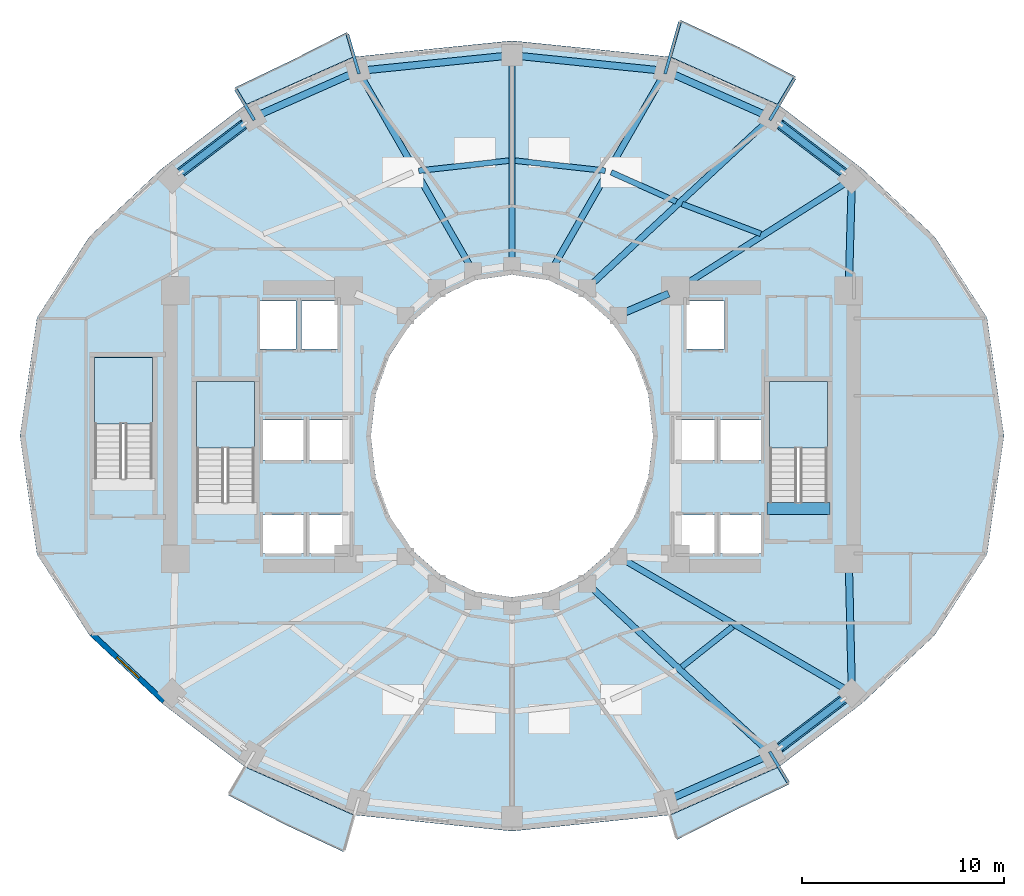
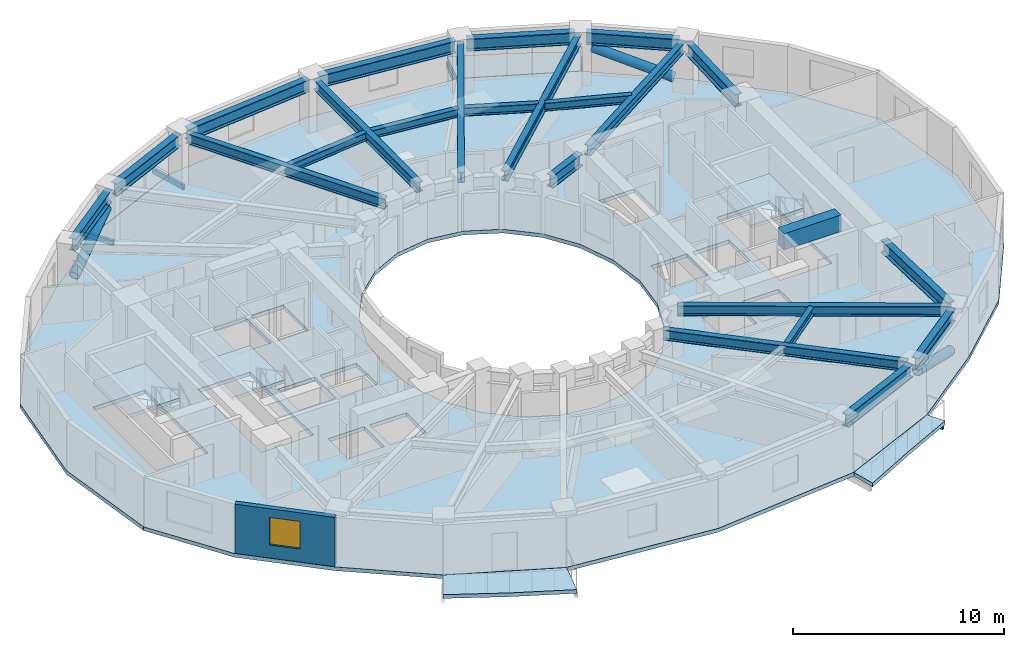
# One storey, part 2 of 10: 29 beams, 8 slabs, 3 members, 1 wall, 1 window, 1 opening, 3 elements without a shape of their own.
"""IFC4 building model written with IfcOpenShell, lengths in metres."""

from ifc_helpers import new_model, si_unit, direction, frame, frame_2d, origin, origin_2d, place, context, subcontext, project, spatial, polyline, rectangle, hollow_rectangle, hollow_circle, i_section, outline, extrude, material, layer, layer_set, material_profile, profile_set, type_object, element, fill, aggregate, save


model = new_model("IFC4")

# Units and contexts
model_context = context("Model", 3, precision=1e-05, world=origin(), true_north=direction((0.0, 1.0)))
body_context = subcontext(model_context, "Body", "Model", "MODEL_VIEW")
ifc_project = project(units=[si_unit("LENGTHUNIT", "METRE"), si_unit("AREAUNIT", "SQUARE_METRE"), si_unit("VOLUMEUNIT", "CUBIC_METRE"), si_unit("PLANEANGLEUNIT", "RADIAN"), si_unit("MASSUNIT", "GRAM", prefix="KILO")], contexts=[model_context])

# Site, building, storey
site_placement = place(None, origin())
site = spatial("IfcSite", under=ifc_project, at=site_placement, CompositionType="ELEMENT")
building_placement = place(site_placement, origin())
building = spatial("IfcBuilding", under=site, at=building_placement, Name="Solvane Sanctuary Tower", CompositionType="ELEMENT")
storey_placement = place(building_placement, frame((0.0, 0.0, 107.300048828125)))
storey = spatial("IfcBuildingStorey", under=building, at=storey_placement, Name="L32", CompositionType="ELEMENT", Elevation=107.300048828125)

# Beams
ifc_material_1 = material(Name="Steel ASTM A500 Grade C", Category="steel")
ifc_material_profile_1 = material_profile(ifc_material_1, hollow_rectangle(XDim=0.14990234375, YDim=0.300048828125, WallThickness=0.010009765625, at=origin_2d()), Name="HSS300X150X10")
ifc_profile_set_1 = profile_set([ifc_material_profile_1], Name="Steel ASTM A500 Grade C")
beam_type_1 = type_object("IfcBeamType", Name="Beam B-BALC-BRK HSS300X150X10", PredefinedType="BEAM", material=ifc_profile_set_1)
beam_1_placement = place(storey_placement, frame((44.78173828125, 38.6572265625, -0.3720703125), z_axis=(0.510772423224, 0.859715959881, 0.0), x_axis=(-0.859715959881, 0.510772423224, 0.0)))
element("IfcBeam", 1, at=beam_1_placement, inside=storey, type_object=beam_type_1, Name="L32 Balcony Bracket N1-1", PredefinedType="BEAM", context=body_context, shape_type="SweptSolid", body=[
    extrude(hollow_rectangle(XDim=0.14990234375, YDim=0.300048828125, WallThickness=0.010009765625, at=origin_2d()), origin(), (0.0, 0.0, 1.0), 2.413818359375),
])
beam_2_placement = place(storey_placement, frame((39.588134765625, 40.955810546875, -0.3720703125), z_axis=(0.274985867497, 0.961448268331, 0.0), x_axis=(-0.961448268331, 0.274985867497, 0.0)))
element("IfcBeam", 2, at=beam_2_placement, inside=storey, type_object=beam_type_1, Name="L32 Balcony Bracket N1-2", PredefinedType="BEAM", context=body_context, shape_type="SweptSolid", body=[
    extrude(hollow_rectangle(XDim=0.14990234375, YDim=0.300048828125, WallThickness=0.010009765625, at=origin_2d()), origin(), (0.0, 0.0, 1.0), 2.679443359375),
])
beam_3_placement = place(storey_placement, frame((24.41259765625, 40.9560546875, -0.3720703125), z_axis=(-0.280114379044, 0.959966632052, 0.0), x_axis=(-0.959966632052, -0.280114379044, 0.0)))
element("IfcBeam", 3, at=beam_3_placement, inside=storey, type_object=beam_type_1, Name="L32 Balcony Bracket N2-1", PredefinedType="BEAM", context=body_context, shape_type="SweptSolid", body=[
    extrude(hollow_rectangle(XDim=0.14990234375, YDim=0.300048828125, WallThickness=0.010009765625, at=origin_2d()), origin(), (0.0, 0.0, 1.0), 2.049072265625),
])
for number, where, z_axis, x_axis, name in (
    (4, (19.218994140625, 38.65771484375, -0.3720703125), (-0.514717182616, 0.857360030512, 0.0), (-0.857360030512, -0.514717182616, 0.0), "L32 Balcony Bracket N2-2"),
    (5, (44.781005859375, 7.34228515625, -0.3720703125), (0.514717182616, -0.857360030512, 0.0), (0.857360030512, 0.514717182616, 0.0), "L32 Balcony Bracket S2-2"),
):
    element("IfcBeam", number, at=place(storey_placement, frame(where, z_axis=z_axis, x_axis=x_axis)), inside=storey, type_object=beam_type_1, Name=name, PredefinedType="BEAM", context=body_context, shape_type="SweptSolid", body=[
        extrude(hollow_rectangle(XDim=0.14990234375, YDim=0.300048828125, WallThickness=0.010009765625, at=origin_2d()), origin(), (0.0, 0.0, 1.0), 1.783447265625),
    ])
ifc_material_2 = material(Name="Concrete C70/85", Category="concrete")
ifc_material_profile_2 = material_profile(ifc_material_2, rectangle(XDim=0.60009765625, YDim=0.949951171875, at=origin_2d()), Name="RC600X950")
ifc_profile_set_2 = profile_set([ifc_material_profile_2], Name="Concrete C70/85")
beam_type_2 = type_object("IfcBeamType", Name="Beam B-COUPLE RC600X950", PredefinedType="LINTEL", material=ifc_profile_set_2)
beam_4_placement = place(storey_placement, frame((44.64990234375, 19.399169921875, 2.625), z_axis=(1.0, 0.0, 0.0), x_axis=(0.0, 1.0, 0.0)))
element("IfcBeam", 6, at=beam_4_placement, inside=storey, type_object=beam_type_2, Name="L32 ST-2 Stair Floor Landing Trimmer", PredefinedType="LINTEL", context=body_context, shape_type="SweptSolid", body=[
    extrude(rectangle(XDim=0.60009765625, YDim=0.949951171875, at=origin_2d()), origin(), (0.0, 0.0, 1.0), 3.1201171875),
])
ifc_material_3 = material(Name="Steel ASTM A992 Grade 50", Category="steel")
ifc_material_profile_3 = material_profile(ifc_material_3, i_section(OverallWidth=0.31494140625, OverallDepth=0.575927734375, WebThickness=0.01513671875, FlangeThickness=0.0244140625, FilletRadius=0.014892578125, at=origin_2d()), Name="W21X122")
ifc_profile_set_3 = profile_set([ifc_material_profile_3], Name="Steel ASTM A992 Grade 50")
beam_type_3 = type_object("IfcBeamType", Name="Beam B-RAD-Z2 W21X122", PredefinedType="BEAM", material=ifc_profile_set_3)
beam_5_placement = place(storey_placement, frame((40.404052734375, 30.392578125, 2.58984375), z_axis=(0.844853889678, 0.534997107558, 0.0), x_axis=(-0.534997107558, 0.844853889678, 0.0)))
element("IfcBeam", 7, at=beam_5_placement, inside=storey, type_object=beam_type_3, Name="L32 Radial Composite Floor Beam 01", PredefinedType="BEAM", context=body_context, shape_type="SweptSolid", body=[
    extrude(i_section(OverallWidth=0.31494140625, OverallDepth=0.575927734375, WebThickness=0.01513671875, FlangeThickness=0.0244140625, FilletRadius=0.014892578125, at=origin_2d()), origin(), (0.0, 0.0, 1.0), 9.720458984375),
])
beam_6_placement = place(storey_placement, frame((35.935302734375, 30.516845703125, 2.58984375), z_axis=(0.733453775248, 0.679739332078, 0.0), x_axis=(-0.679739332078, 0.733453775248, 0.0)))
element("IfcBeam", 8, at=beam_6_placement, inside=storey, type_object=beam_type_3, Name="L32 Radial Composite Floor Beam 02", PredefinedType="BEAM", context=body_context, shape_type="SweptSolid", body=[
    extrude(i_section(OverallWidth=0.31494140625, OverallDepth=0.575927734375, WebThickness=0.01513671875, FlangeThickness=0.0244140625, FilletRadius=0.014892578125, at=origin_2d()), origin(), (0.0, 0.0, 1.0), 11.885498046875),
])
beam_7_placement = place(storey_placement, frame((34.0703125, 31.41455078125, 2.58984375), z_axis=(0.497792245326, 0.8672963049, 0.0), x_axis=(-0.8672963049, 0.497792245326, 0.0)))
element("IfcBeam", 9, at=beam_7_placement, inside=storey, type_object=beam_type_3, Name="L32 Radial Composite Floor Beam 03", PredefinedType="BEAM", context=body_context, shape_type="SweptSolid", body=[
    extrude(i_section(OverallWidth=0.31494140625, OverallDepth=0.575927734375, WebThickness=0.01513671875, FlangeThickness=0.0244140625, FilletRadius=0.014892578125, at=origin_2d()), origin(), (0.0, 0.0, 1.0), 10.887451171875),
])
beam_8_placement = place(storey_placement, frame((32.0, 31.739990234375, 2.58984375), z_axis=(0.0, 1.0, 0.0), x_axis=(-1.0, 0.0, 0.0)))
element("IfcBeam", 10, at=beam_8_placement, inside=storey, type_object=beam_type_3, Name="L32 Radial Composite Floor Beam 04", PredefinedType="BEAM", context=body_context, shape_type="SweptSolid", body=[
    extrude(i_section(OverallWidth=0.31494140625, OverallDepth=0.575927734375, WebThickness=0.01513671875, FlangeThickness=0.0244140625, FilletRadius=0.014892578125, at=origin_2d()), origin(), (0.0, 0.0, 1.0), 9.860107421875),
])
beam_9_placement = place(storey_placement, frame((29.9296875, 31.41455078125, 2.58984375), z_axis=(-0.497792245326, 0.8672963049, 0.0), x_axis=(-0.8672963049, -0.497792245326, 0.0)))
element("IfcBeam", 11, at=beam_9_placement, inside=storey, type_object=beam_type_3, Name="L32 Radial Composite Floor Beam 05", PredefinedType="BEAM", context=body_context, shape_type="SweptSolid", body=[
    extrude(i_section(OverallWidth=0.31494140625, OverallDepth=0.575927734375, WebThickness=0.01513671875, FlangeThickness=0.0244140625, FilletRadius=0.014892578125, at=origin_2d()), origin(), (0.0, 0.0, 1.0), 10.887451171875),
])
beam_10_placement = place(storey_placement, frame((35.935302734375, 15.483154296875, 2.58984375), z_axis=(0.733453775248, -0.679739332078, 0.0), x_axis=(0.679739332078, 0.733453775248, 0.0)))
element("IfcBeam", 12, at=beam_10_placement, inside=storey, type_object=beam_type_3, Name="L32 Radial Composite Floor Beam 13", PredefinedType="BEAM", context=body_context, shape_type="SweptSolid", body=[
    extrude(i_section(OverallWidth=0.31494140625, OverallDepth=0.575927734375, WebThickness=0.01513671875, FlangeThickness=0.0244140625, FilletRadius=0.014892578125, at=origin_2d()), origin(), (0.0, 0.0, 1.0), 11.885498046875),
])
beam_11_placement = place(storey_placement, frame((37.516845703125, 16.876708984375, 2.58984375), z_axis=(0.863554121542, -0.504256164234, 0.0), x_axis=(0.504256164234, 0.863554121542, 0.0)))
element("IfcBeam", 13, at=beam_11_placement, inside=storey, type_object=beam_type_3, Name="L32 Radial Composite Floor Beam 14", PredefinedType="BEAM", context=body_context, shape_type="SweptSolid", body=[
    extrude(i_section(OverallWidth=0.31494140625, OverallDepth=0.575927734375, WebThickness=0.01513671875, FlangeThickness=0.0244140625, FilletRadius=0.014892578125, at=origin_2d()), origin(), (0.0, 0.0, 1.0), 12.84716796875),
])
ifc_material_profile_4 = material_profile(ifc_material_3, i_section(OverallWidth=0.35498046875, OverallDepth=0.695068359375, WebThickness=0.015380859375, FlangeThickness=0.02490234375, FilletRadius=0.01806640625, at=origin_2d()), Name="W27X146")
ifc_profile_set_4 = profile_set([ifc_material_profile_4], Name="Steel ASTM A992 Grade 50")
beam_type_4 = type_object("IfcBeamType", Name="Beam B-RING-IN1 W27X146", PredefinedType="BEAM", material=ifc_profile_set_4)
beam_12_placement = place(storey_placement, frame((37.6376953125, 29.138427734375, 2.530517578125), z_axis=(0.918261456479, 0.3959746173, 0.0), x_axis=(-0.3959746173, 0.918261456479, 0.0)))
element("IfcBeam", 14, at=beam_12_placement, inside=storey, type_object=beam_type_4, Name="L32 Inner Light-Well Ring Beam IC01-CE4", PredefinedType="BEAM", context=body_context, shape_type="SweptSolid", body=[
    extrude(i_section(OverallWidth=0.35498046875, OverallDepth=0.695068359375, WebThickness=0.015380859375, FlangeThickness=0.02490234375, FilletRadius=0.01806640625, at=origin_2d()), origin(), (0.0, 0.0, 1.0), 2.3212890625),
])
ifc_material_profile_5 = material_profile(ifc_material_3, i_section(OverallWidth=0.280029296875, OverallDepth=0.462890625, WebThickness=0.0107421875, FlangeThickness=0.017333984375, FilletRadius=0.013916015625, at=origin_2d()), Name="W18X76")
ifc_profile_set_5 = profile_set([ifc_material_profile_5], Name="Steel ASTM A992 Grade 50")
beam_type_5 = type_object("IfcBeamType", Name="Beam B-SEC-JOIST W18X76", PredefinedType="JOIST", material=ifc_profile_set_5)
for number, where, z_axis, x_axis, name in (
    (15, (27.37158203125, 36.15283203125, 2.646484375), (0.993814804173, 0.111050146357, 0.0), (-0.111050146357, 0.993814804173, 0.0), "L32 Secondary Circumferential Joist 05-04"),
    (16, (32.151611328125, 36.653076171875, 2.646484375), (0.993814804173, -0.111050146357, 0.0), (0.111050146357, 0.993814804173, 0.0), "L32 Secondary Circumferential Joist 04-03"),
):
    element("IfcBeam", number, at=place(storey_placement, frame(where, z_axis=z_axis, x_axis=x_axis)), inside=storey, type_object=beam_type_5, Name=name, PredefinedType="JOIST", context=body_context, shape_type="SweptSolid", body=[
        extrude(i_section(OverallWidth=0.280029296875, OverallDepth=0.462890625, WebThickness=0.0107421875, FlangeThickness=0.017333984375, FilletRadius=0.013916015625, at=origin_2d()), origin(), (0.0, 0.0, 1.0), 4.504638671875),
    ])
beam_13_placement = place(storey_placement, frame((36.919189453125, 36.073486328125, 2.646484375), z_axis=(0.912083673068, -0.410004113787, 0.0), x_axis=(0.410004113787, 0.912083673068, 0.0)))
element("IfcBeam", 17, at=beam_13_placement, inside=storey, type_object=beam_type_5, Name="L32 Secondary Circumferential Joist 03-02", PredefinedType="JOIST", context=body_context, shape_type="SweptSolid", body=[
    extrude(i_section(OverallWidth=0.280029296875, OverallDepth=0.462890625, WebThickness=0.0107421875, FlangeThickness=0.017333984375, FilletRadius=0.013916015625, at=origin_2d()), origin(), (0.0, 0.0, 1.0), 3.5478515625),
])
beam_14_placement = place(storey_placement, frame((40.436767578125, 34.50244140625, 2.646484375), z_axis=(0.93509327646, -0.354401699091, 0.0), x_axis=(0.354401699091, 0.93509327646, 0.0)))
element("IfcBeam", 18, at=beam_14_placement, inside=storey, type_object=beam_type_5, Name="L32 Secondary Circumferential Joist 02-01", PredefinedType="JOIST", context=body_context, shape_type="SweptSolid", body=[
    extrude(i_section(OverallWidth=0.280029296875, OverallDepth=0.462890625, WebThickness=0.0107421875, FlangeThickness=0.017333984375, FilletRadius=0.013916015625, at=origin_2d()), origin(), (0.0, 0.0, 1.0), 4.167724609375),
])
beam_15_placement = place(storey_placement, frame((40.413818359375, 11.538330078125, 2.646484375), z_axis=(0.783877123324, 0.620915981055, 0.0), x_axis=(-0.620915981055, 0.783877123324, 0.0)))
element("IfcBeam", 19, at=beam_15_placement, inside=storey, type_object=beam_type_5, Name="L32 Secondary Circumferential Joist 13-14", PredefinedType="JOIST", context=body_context, shape_type="SweptSolid", body=[
    extrude(i_section(OverallWidth=0.280029296875, OverallDepth=0.462890625, WebThickness=0.0107421875, FlangeThickness=0.017333984375, FilletRadius=0.013916015625, at=origin_2d()), origin(), (0.0, 0.0, 1.0), 3.228515625),
])
ifc_material_profile_6 = material_profile(ifc_material_3, i_section(OverallWidth=0.35791015625, OverallDepth=0.7060546875, WebThickness=0.018310546875, FlangeThickness=0.0302734375, FilletRadius=0.01806640625, at=origin_2d()), Name="W27X178")
ifc_profile_set_6 = profile_set([ifc_material_profile_6], Name="Steel ASTM A992 Grade 50")
beam_type_6 = type_object("IfcBeamType", Name="Beam B-SPAND-Z2 W27X178", PredefinedType="SPANDREL", material=ifc_profile_set_6)
beam_16_placement = place(storey_placement, frame((15.36962890625, 35.91259765625, 2.52490234375), z_axis=(0.795473167932, 0.605988811036, 0.0), x_axis=(-0.605988811036, 0.795473167932, 0.0)))
element("IfcBeam", 20, at=beam_16_placement, inside=storey, type_object=beam_type_6, Name="L32 Perimeter Spandrel Beam TC07-TC06", PredefinedType="SPANDREL", context=body_context, shape_type="SweptSolid", body=[
    extrude(i_section(OverallWidth=0.35791015625, OverallDepth=0.7060546875, WebThickness=0.018310546875, FlangeThickness=0.0302734375, FilletRadius=0.01806640625, at=origin_2d()), origin(), (0.0, 0.0, 1.0), 4.4619140625),
])
beam_17_placement = place(storey_placement, frame((19.397705078125, 38.8994140625, 2.52490234375), z_axis=(0.914454505181, 0.404688717355, 0.0), x_axis=(-0.404688717355, 0.914454505181, 0.0)))
element("IfcBeam", 21, at=beam_17_placement, inside=storey, type_object=beam_type_6, Name="L32 Perimeter Spandrel Beam TC06-TC05", PredefinedType="SPANDREL", context=body_context, shape_type="SweptSolid", body=[
    extrude(i_section(OverallWidth=0.35791015625, OverallDepth=0.7060546875, WebThickness=0.018310546875, FlangeThickness=0.0302734375, FilletRadius=0.01806640625, at=origin_2d()), origin(), (0.0, 0.0, 1.0), 5.157958984375),
])
for number, where, z_axis, x_axis, name in (
    (22, (24.649169921875, 41.12841796875, 2.52490234375), (0.994813029025, 0.101720387737, 0.0), (-0.101720387737, 0.994813029025, 0.0), "L32 Perimeter Spandrel Beam TC05-TC04"),
    (23, (32.278564453125, 41.8515625, 2.52490234375), (0.994813029025, -0.101720387737, 0.0), (0.101720387737, 0.994813029025, 0.0), "L32 Perimeter Spandrel Beam TC04-TC03"),
):
    element("IfcBeam", number, at=place(storey_placement, frame(where, z_axis=z_axis, x_axis=x_axis)), inside=storey, type_object=beam_type_6, Name=name, PredefinedType="SPANDREL", context=body_context, shape_type="SweptSolid", body=[
        extrude(i_section(OverallWidth=0.35791015625, OverallDepth=0.7060546875, WebThickness=0.018310546875, FlangeThickness=0.0302734375, FilletRadius=0.01806640625, at=origin_2d()), origin(), (0.0, 0.0, 1.0), 7.109130859375),
    ])
beam_18_placement = place(storey_placement, frame((39.885498046875, 40.98681640625, 2.52490234375), z_axis=(0.914454505181, -0.404688717355, 0.0), x_axis=(0.404688717355, 0.914454505181, 0.0)))
element("IfcBeam", 24, at=beam_18_placement, inside=storey, type_object=beam_type_6, Name="L32 Perimeter Spandrel Beam TC03-TC02", PredefinedType="SPANDREL", context=body_context, shape_type="SweptSolid", body=[
    extrude(i_section(OverallWidth=0.35791015625, OverallDepth=0.7060546875, WebThickness=0.018310546875, FlangeThickness=0.0302734375, FilletRadius=0.01806640625, at=origin_2d()), origin(), (0.0, 0.0, 1.0), 5.157958984375),
])
beam_19_placement = place(storey_placement, frame((45.0810546875, 38.616455078125, 2.52490234375), z_axis=(0.795473167932, -0.605988811036, 0.0), x_axis=(0.605988811036, 0.795473167932, 0.0)))
element("IfcBeam", 25, at=beam_19_placement, inside=storey, type_object=beam_type_6, Name="L32 Perimeter Spandrel Beam TC02-TC01", PredefinedType="SPANDREL", context=body_context, shape_type="SweptSolid", body=[
    extrude(i_section(OverallWidth=0.35791015625, OverallDepth=0.7060546875, WebThickness=0.018310546875, FlangeThickness=0.0302734375, FilletRadius=0.01806640625, at=origin_2d()), origin(), (0.0, 0.0, 1.0), 4.4619140625),
])
beam_20_placement = place(storey_placement, frame((48.84521484375, 35.462890625, 2.52490234375), z_axis=(-0.027574028772, -0.999619764179, 0.0), x_axis=(0.999619764179, -0.027574028772, 0.0)))
element("IfcBeam", 26, at=beam_20_placement, inside=storey, type_object=beam_type_6, Name="L32 Perimeter Spandrel Beam TC01-CE3", PredefinedType="SPANDREL", context=body_context, shape_type="SweptSolid", body=[
    extrude(i_section(OverallWidth=0.35791015625, OverallDepth=0.7060546875, WebThickness=0.018310546875, FlangeThickness=0.0302734375, FilletRadius=0.01806640625, at=origin_2d()), origin(), (0.0, 0.0, 1.0), 4.98486328125),
])
beam_21_placement = place(storey_placement, frame((39.885498046875, 5.01318359375, 2.52490234375), z_axis=(0.914454505181, 0.404688717355, 0.0), x_axis=(-0.404688717355, 0.914454505181, 0.0)))
element("IfcBeam", 27, at=beam_21_placement, inside=storey, type_object=beam_type_6, Name="L32 Perimeter Spandrel Beam TC12-TC13", PredefinedType="SPANDREL", context=body_context, shape_type="SweptSolid", body=[
    extrude(i_section(OverallWidth=0.35791015625, OverallDepth=0.7060546875, WebThickness=0.018310546875, FlangeThickness=0.0302734375, FilletRadius=0.01806640625, at=origin_2d()), origin(), (0.0, 0.0, 1.0), 5.157958984375),
])
beam_22_placement = place(storey_placement, frame((45.0810546875, 7.383544921875, 2.52490234375), z_axis=(0.795473167932, 0.605988811036, 0.0), x_axis=(-0.605988811036, 0.795473167932, 0.0)))
element("IfcBeam", 28, at=beam_22_placement, inside=storey, type_object=beam_type_6, Name="L32 Perimeter Spandrel Beam TC13-TC14", PredefinedType="SPANDREL", context=body_context, shape_type="SweptSolid", body=[
    extrude(i_section(OverallWidth=0.35791015625, OverallDepth=0.7060546875, WebThickness=0.018310546875, FlangeThickness=0.0302734375, FilletRadius=0.01806640625, at=origin_2d()), origin(), (0.0, 0.0, 1.0), 4.4619140625),
])
beam_23_placement = place(storey_placement, frame((48.8466796875, 10.537109375, 2.52490234375), z_axis=(-0.023071397754, 0.999733819877, 0.0), x_axis=(-0.999733819877, -0.023071397754, 0.0)))
element("IfcBeam", 29, at=beam_23_placement, inside=storey, type_object=beam_type_6, Name="L32 Perimeter Spandrel Beam TC14-CE2", PredefinedType="SPANDREL", context=body_context, shape_type="SweptSolid", body=[
    extrude(i_section(OverallWidth=0.35791015625, OverallDepth=0.7060546875, WebThickness=0.018310546875, FlangeThickness=0.0302734375, FilletRadius=0.01806640625, at=origin_2d()), origin(), (0.0, 0.0, 1.0), 6.084716796875),
])

# Members
ifc_material_profile_7 = material_profile(ifc_material_3, hollow_circle(Radius=0.25390625, WallThickness=0.01611328125, at=origin_2d()), Name="CHS508X16")
ifc_profile_set_7 = profile_set([ifc_material_profile_7], Name="Steel ASTM A992 Grade 50")
member_type = type_object("IfcMemberType", Name="Member M-TUBE-Z2 CHS508X16", PredefinedType="BRACE", material=ifc_profile_set_7)
for number, where, z_axis, x_axis, name in (
    (30, (48.424072265625, 36.069580078125, 0.572265625), (-0.749170118041, 0.570768517947, 0.336106282529), (-0.606024564443, -0.795445929836, 0.0), "L32 Perimeter Braced-Tube Diagonal NE"),
    (31, (15.575927734375, 36.069580078125, 0.572265625), (0.749170118041, 0.570768517947, 0.336106282529), (-0.606024564443, 0.795445929836, 0.0), "L32 Perimeter Braced-Tube Diagonal NW"),
    (32, (48.424072265625, 9.930419921875, 0.572265625), (-0.749170118041, -0.570768517947, 0.336106282529), (0.606024564443, -0.795445929836, 0.0), "L32 Perimeter Braced-Tube Diagonal SE"),
):
    element("IfcMember", number, at=place(storey_placement, frame(where, z_axis=z_axis, x_axis=x_axis)), inside=storey, type_object=member_type, Name=name, PredefinedType="BRACE", context=body_context, shape_type="SweptSolid", body=[
        extrude(hollow_circle(Radius=0.25390625, WallThickness=0.01611328125, at=origin_2d()), origin(), (0.0, 0.0, 1.0), 4.1875),
    ])

# Slabs
ifc_material_4 = material(Name="Precast concrete C40/50", Category="concrete")
ifc_layer_1 = layer(ifc_material_4, 0.219970703125, Name="Precast concrete C40/50")
ifc_layer_set_1 = layer_set([ifc_layer_1], Name="Precast concrete C40/50")
slab_type_1 = type_object("IfcSlabType", Name="Slab SL-BALC-200", PredefinedType="FLOOR", material=ifc_layer_set_1)
slab_1_placement = place(storey_placement, frame((0.0, 0.0, -0.219970703125)))
element("IfcSlab", 33, at=slab_1_placement, inside=storey, type_object=slab_type_1, Name="L32 Wave Balcony Slab N1", PredefinedType="FLOOR", context=body_context, shape_type="SweptSolid", body=[
    extrude(outline(polyline([(46.06591796875, 40.818359375), (43.24951171875, 42.275634765625), (40.3525390625, 43.628173828125), (39.863037109375, 41.798828125), (45.2509765625, 39.407958984375), (46.06591796875, 40.818359375)])), origin(), (0.0, 0.0, 1.0), 0.219970703125),
])
slab_2_placement = place(storey_placement, frame((0.0, 0.0, -0.219970703125)))
element("IfcSlab", 34, at=slab_2_placement, inside=storey, type_object=slab_type_1, Name="L32 Wave Balcony Slab N2", PredefinedType="FLOOR", context=body_context, shape_type="SweptSolid", body=[
    extrude(outline(polyline([(23.810791015625, 43.01904296875), (21.029052734375, 41.60302734375), (18.24951171875, 40.2724609375), (18.7490234375, 39.407958984375), (24.136962890625, 41.798828125), (23.810791015625, 43.01904296875)])), origin(), (0.0, 0.0, 1.0), 0.219970703125),
])
slab_3_placement = place(storey_placement, frame((0.0, 0.0, -0.219970703125)))
element("IfcSlab", 35, at=slab_3_placement, inside=storey, type_object=slab_type_1, Name="L32 Wave Balcony Slab S1", PredefinedType="FLOOR", context=body_context, shape_type="SweptSolid", body=[
    extrude(outline(polyline([(17.93408203125, 5.181640625), (20.75048828125, 3.724365234375), (23.6474609375, 2.371826171875), (24.136962890625, 4.201171875), (18.7490234375, 6.592041015625), (17.93408203125, 5.181640625)])), origin(), (0.0, 0.0, 1.0), 0.219970703125),
])
slab_4_placement = place(storey_placement, frame((0.0, 0.0, -0.219970703125)))
element("IfcSlab", 36, at=slab_4_placement, inside=storey, type_object=slab_type_1, Name="L32 Wave Balcony Slab S2", PredefinedType="FLOOR", context=body_context, shape_type="SweptSolid", body=[
    extrude(outline(polyline([(40.189208984375, 2.98095703125), (42.970947265625, 4.39697265625), (45.75048828125, 5.7275390625), (45.2509765625, 6.592041015625), (39.863037109375, 4.201171875), (40.189208984375, 2.98095703125)])), origin(), (0.0, 0.0, 1.0), 0.219970703125),
])

# Stair, slab
ifc_material_5 = material(Name="Concrete C45/55", Category="concrete")
stair_type = type_object("IfcStairType", Name="Stair ST-TOW", PredefinedType="HALF_TURN_STAIR", material=ifc_material_5)
stair_1_placement = place(storey_placement, origin())
stair_1 = element("IfcStair", 37, at=stair_1_placement, inside=storey, type_object=stair_type, Name="L32 Exit Stair ST-1 West Core", PredefinedType="HALF_TURN_STAIR")
ifc_layer_2 = layer(ifc_material_5, 0.199951171875, Name="Concrete C45/55")
ifc_layer_set_2 = layer_set([ifc_layer_2], Name="Concrete C45/55")
slab_type_2 = type_object("IfcSlabType", Name="Slab SL-LAND-180", PredefinedType="LANDING", material=ifc_layer_set_2)
slab_5_placement = place(storey_placement, frame((0.0, 0.0, 1.349853515625)))
slab_5 = element("IfcSlab", 38, at=slab_5_placement, type_object=slab_type_2, Name="ST-1 landing 1", PredefinedType="LANDING", context=body_context, shape_type="SweptSolid", body=[
    extrude(outline(polyline([(19.219970703125, 22.39990234375), (19.219970703125, 25.699951171875), (16.360107421875, 25.699951171875), (16.360107421875, 22.39990234375), (19.219970703125, 22.39990234375)])), origin(), (0.0, 0.0, 1.0), 0.2001953125),
])
aggregate(stair_1, [slab_5])

stair_2_placement = place(storey_placement, origin())
stair_2 = element("IfcStair", 39, at=stair_2_placement, inside=storey, type_object=stair_type, Name="L32 Exit Stair ST-2 East Core", PredefinedType="HALF_TURN_STAIR")
slab_6_placement = place(storey_placement, frame((0.0, 0.0, 1.349853515625)))
slab_6 = element("IfcSlab", 40, at=slab_6_placement, type_object=slab_type_2, Name="ST-2 landing 1", PredefinedType="LANDING", context=body_context, shape_type="SweptSolid", body=[
    extrude(outline(polyline([(47.639892578125, 22.39990234375), (47.639892578125, 25.699951171875), (44.780029296875, 25.699951171875), (44.780029296875, 22.39990234375), (47.639892578125, 22.39990234375)])), origin(), (0.0, 0.0, 1.0), 0.2001953125),
])
aggregate(stair_2, [slab_6])

stair_3_placement = place(storey_placement, origin())
stair_3 = element("IfcStair", 41, at=stair_3_placement, inside=storey, type_object=stair_type, Name="L32 Exit Stair ST-3 Pilgrim Tower Stair", PredefinedType="HALF_TURN_STAIR")
slab_7_placement = place(storey_placement, frame((0.0, 0.0, 1.349853515625)))
slab_7 = element("IfcSlab", 42, at=slab_7_placement, type_object=slab_type_2, Name="ST-3 landing 1", PredefinedType="LANDING", context=body_context, shape_type="SweptSolid", body=[
    extrude(outline(polyline([(14.159912109375, 23.60009765625), (14.159912109375, 26.89990234375), (11.300048828125, 26.89990234375), (11.300048828125, 23.60009765625), (14.159912109375, 23.60009765625)])), origin(), (0.0, 0.0, 1.0), 0.2001953125),
])
aggregate(stair_3, [slab_7])

# Slab
ifc_layer_3 = layer(ifc_material_5, 0.219970703125, Name="Concrete C45/55")
ifc_layer_set_3 = layer_set([ifc_layer_3], Name="Concrete C45/55")
slab_type_3 = type_object("IfcSlabType", Name="Slab SL-TOW-220", PredefinedType="FLOOR", material=ifc_layer_set_3)
slab_8_placement = place(storey_placement, frame((0.0, 0.0, -0.219970703125)))
element("IfcSlab", 43, at=slab_8_placement, inside=storey, type_object=slab_type_3, Name="L32 Primary Structural Slab", PredefinedType="FLOOR", context=body_context, shape_type="SweptSolid", body=[
    extrude(outline(polyline([(56.39990234375, 23.0), (55.556884765625, 28.86376953125), (52.94091796875, 32.903076171875), (49.365478515625, 36.255126953125), (45.249267578125, 39.404296875), (39.861328125, 41.795166015625), (32.0, 42.60009765625), (24.138671875, 41.795166015625), (18.750732421875, 39.404296875), (14.634521484375, 36.255126953125), (11.05908203125, 32.903076171875), (8.443115234375, 28.86376953125), (7.60009765625, 23.0), (8.443115234375, 17.13623046875), (11.05908203125, 13.096923828125), (14.634521484375, 9.744873046875), (18.750732421875, 6.595703125), (24.138671875, 4.204833984375), (32.0, 3.39990234375), (39.861328125, 4.204833984375), (45.249267578125, 6.595703125), (49.365478515625, 9.744873046875), (52.94091796875, 13.096923828125), (55.556884765625, 17.13623046875), (56.39990234375, 23.0)]), holes=[polyline([(38.761474609375, 20.929443359375), (38.062255859375, 19.0), (36.94970703125, 17.343017578125), (35.5, 16.07177734375), (33.811767578125, 15.272705078125), (32.0, 15.0), (30.188232421875, 15.272705078125), (28.5, 16.07177734375), (27.05029296875, 17.343017578125), (25.937744140625, 19.0), (25.238525390625, 20.929443359375), (25.0, 23.0), (25.238525390625, 25.070556640625), (25.937744140625, 27.0), (27.05029296875, 28.656982421875), (28.5, 29.92822265625), (30.188232421875, 30.727294921875), (32.0, 31.0), (33.811767578125, 30.727294921875), (35.5, 29.92822265625), (36.94970703125, 28.656982421875), (38.062255859375, 27.0), (38.761474609375, 25.070556640625), (39.0, 23.0), (38.761474609375, 20.929443359375)]), polyline([(16.360107421875, 19.699951171875), (16.360107421875, 25.699951171875), (19.219970703125, 25.699951171875), (19.219970703125, 19.699951171875), (16.360107421875, 19.699951171875)]), polyline([(44.780029296875, 19.699951171875), (44.780029296875, 25.699951171875), (47.639892578125, 25.699951171875), (47.639892578125, 19.699951171875), (44.780029296875, 19.699951171875)]), polyline([(11.300048828125, 20.89990234375), (11.300048828125, 26.89990234375), (14.159912109375, 26.89990234375), (14.159912109375, 20.89990234375), (11.300048828125, 20.89990234375)]), polyline([(19.64990234375, 19.080078125), (21.64990234375, 19.080078125), (21.64990234375, 17.179931640625), (19.64990234375, 17.179931640625), (19.64990234375, 19.080078125)]), polyline([(21.949951171875, 19.080078125), (23.949951171875, 19.080078125), (23.949951171875, 17.179931640625), (21.949951171875, 17.179931640625), (21.949951171875, 19.080078125)]), polyline([(40.050048828125, 19.080078125), (42.050048828125, 19.080078125), (42.050048828125, 17.179931640625), (40.050048828125, 17.179931640625), (40.050048828125, 19.080078125)]), polyline([(42.35009765625, 19.080078125), (44.35009765625, 19.080078125), (44.35009765625, 17.179931640625), (42.35009765625, 17.179931640625), (42.35009765625, 19.080078125)]), polyline([(19.64990234375, 23.800048828125), (21.64990234375, 23.800048828125), (21.64990234375, 21.800048828125), (19.64990234375, 21.800048828125), (19.64990234375, 23.800048828125)]), polyline([(42.35009765625, 23.800048828125), (44.35009765625, 23.800048828125), (44.35009765625, 21.800048828125), (42.35009765625, 21.800048828125), (42.35009765625, 23.800048828125)]), polyline([(21.949951171875, 23.800048828125), (23.949951171875, 23.800048828125), (23.949951171875, 21.800048828125), (21.949951171875, 21.800048828125), (21.949951171875, 23.800048828125)]), polyline([(40.050048828125, 23.800048828125), (42.050048828125, 23.800048828125), (42.050048828125, 21.800048828125), (40.050048828125, 21.800048828125), (40.050048828125, 23.800048828125)]), polyline([(19.5, 29.699951171875), (21.300048828125, 29.699951171875), (21.300048828125, 27.300048828125), (19.5, 27.300048828125), (19.5, 29.699951171875)]), polyline([(21.550048828125, 29.699951171875), (23.35009765625, 29.699951171875), (23.35009765625, 27.300048828125), (21.550048828125, 27.300048828125), (21.550048828125, 29.699951171875)]), polyline([(40.64990234375, 29.699951171875), (42.550048828125, 29.699951171875), (42.550048828125, 27.300048828125), (40.64990234375, 27.300048828125), (40.64990234375, 29.699951171875)])]), origin(), (0.0, 0.0, 1.0), 0.219970703125),
])

# Wall, opening, window
ifc_layer_4 = layer(ifc_material_4, 0.260009765625, Name="Precast concrete C40/50")
ifc_layer_set_4 = layer_set([ifc_layer_4], Name="Precast concrete C40/50")
wall_type = type_object("IfcWallType", Name="Wall W-EXT-250", PredefinedType="STANDARD", material=ifc_layer_set_4)
wall_placement = place(storey_placement, frame((11.179443359375, 13.173095703125, 0.0), z_axis=(0.0, 0.0, 1.0), x_axis=(0.730162452258, -0.68327358599, 0.0)))
wall = element("IfcWall", 44, at=wall_placement, inside=storey, type_object=wall_type, Name="L32 Ceramic-Printed Facade Wall 14", PredefinedType="STANDARD", context=body_context, shape_type="SweptSolid", body=[
    extrude(rectangle(XDim=4.868408203125, YDim=0.260009765625, at=frame_2d((2.43408203125, 0.0))), origin(), (0.0, 0.0, 1.0), 2.849853515625),
])
opening_placement = place(wall_placement, frame((1.68408203125, 0.0, 0.75)))
opening = element("IfcOpeningElement", 45, at=opening_placement, cuts=wall, Name="Opening WN-OPER-1500", PredefinedType="OPENING", context=body_context, shape_type="SweptSolid", body=[
    extrude(rectangle(XDim=1.5, YDim=1.60009765625, at=frame_2d((0.75, 0.800048828125))), frame((0.0, 0.139892578125, 0.0), z_axis=(0.0, -1.0, 0.0), x_axis=(1.0, 0.0, 0.0)), (0.0, 0.0, 1.0), 0.280029296875),
])
ifc_material_6 = material(Name="Dark Ceramic-Fritted Low-E Glass", Category="glass")
window_type = type_object("IfcWindowType", Name="Window WN-OPER-1500", PartitioningType="SINGLE_PANEL", PredefinedType="WINDOW", material=ifc_material_6)
window_placement = place(opening_placement, origin())
window = element("IfcWindow", 46, at=window_placement, inside=storey, type_object=window_type, Name="L32 Operable Facade Window 14", OverallHeight=1.60009765625, OverallWidth=1.5, PartitioningType="SINGLE_PANEL", PredefinedType="WINDOW", context=body_context, shape_type="SweptSolid", body=[
    extrude(rectangle(XDim=1.5, YDim=1.60009765625, at=frame_2d((0.75, 0.800048828125))), frame((0.0, 0.030029296875, 0.0), z_axis=(0.0, -1.0, 0.0), x_axis=(1.0, 0.0, 0.0)), (0.0, 0.0, 1.0), 0.06005859375),
])
fill(opening, window)

save(model, "model.ifc")
